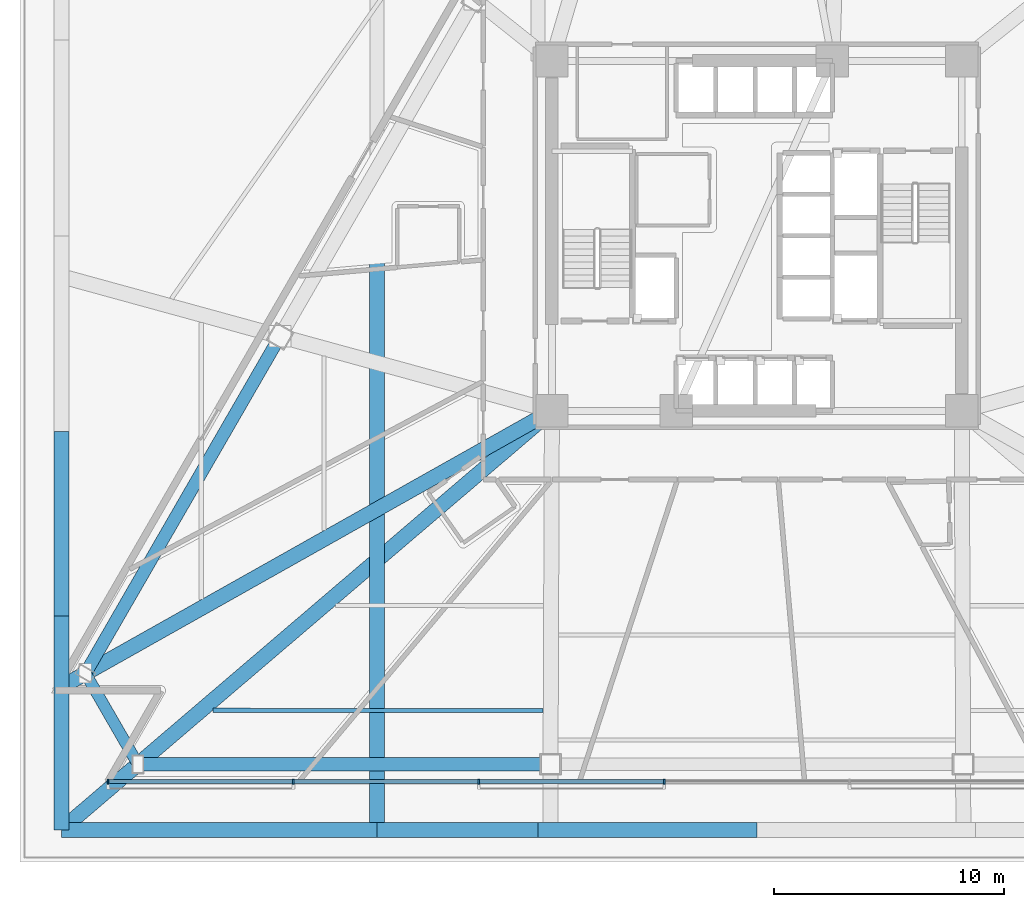
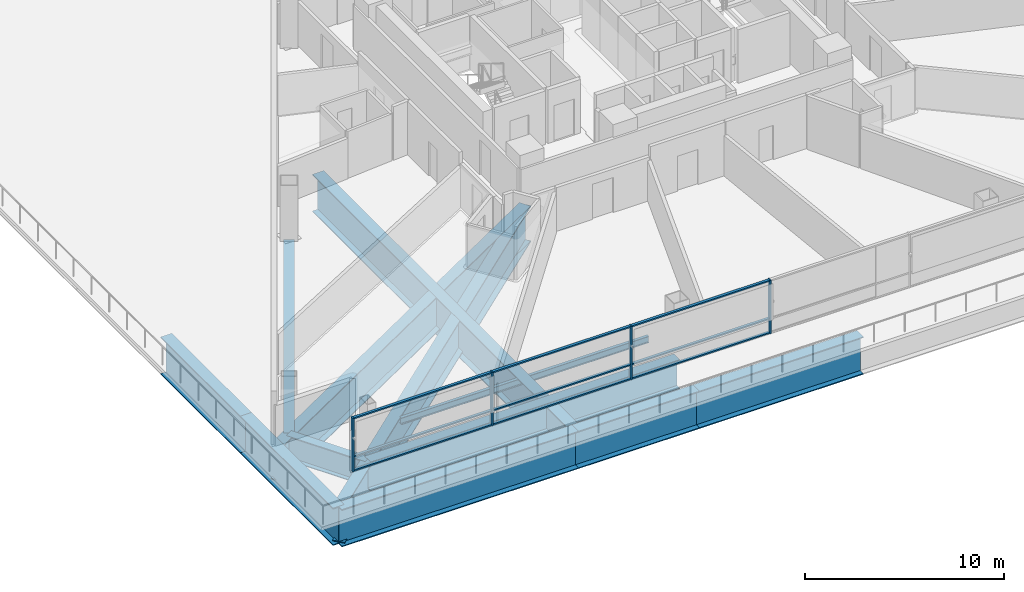
# One storey, part 2 of 19: 13 members, 12 beams, 1 element without a shape of its own.
"""IFC4 building model written with IfcOpenShell, lengths in metres."""

from ifc_helpers import new_model, si_unit, direction, frame, origin, origin_2d, place, context, subcontext, project, spatial, rectangle, i_section, extrude, material, layer, layer_set, material_profile, profile_set, type_object, element, aggregate, save


model = new_model("IFC4")

# Units and contexts
model_context = context("Model", 3, precision=1e-05, world=origin(), true_north=direction((0.0, 1.0)))
body_context = subcontext(model_context, "Body", "Model", "MODEL_VIEW")
ifc_project = project(units=[si_unit("LENGTHUNIT", "METRE"), si_unit("AREAUNIT", "SQUARE_METRE"), si_unit("VOLUMEUNIT", "CUBIC_METRE"), si_unit("PLANEANGLEUNIT", "RADIAN"), si_unit("MASSUNIT", "GRAM", prefix="KILO")], contexts=[model_context])

# Site, building, storey
site_placement = place(None, origin())
site = spatial("IfcSite", under=ifc_project, at=site_placement, CompositionType="ELEMENT")
building_placement = place(site_placement, origin())
building = spatial("IfcBuilding", under=site, at=building_placement, Name="Tharavind Bronze Gate", CompositionType="ELEMENT")
storey_placement = place(building_placement, frame((0.0, 0.0, 31.800048828125)))
storey = spatial("IfcBuildingStorey", under=building, at=storey_placement, Name="L06", CompositionType="ELEMENT", Elevation=31.800048828125)

# Curtain wall, members
ifc_material_1 = material(Name="Anodised Bronze Aluminium", Category="aluminium")
ifc_layer = layer(ifc_material_1, 0.219970703125)
ifc_layer_set = layer_set([ifc_layer], Name="Anodised Bronze Aluminium")
curtain_wall_type = type_object("IfcCurtainWallType", Name="UNITISED CURTAIN WALL HOTEL", PredefinedType="USERDEFINED", material=ifc_layer_set)
curtain_wall_placement = place(storey_placement, origin())
curtain_wall = element("IfcCurtainWall", 1, at=curtain_wall_placement, inside=storey, type_object=curtain_wall_type, Name="L06 unitised curtain wall hotel CW-L06-S2", ObjectType="UNITISED CURTAIN WALL", PredefinedType="USERDEFINED")
member_type_1 = type_object("IfcMemberType", Name="CURTAIN WALL MULLION 80X220", PredefinedType="MULLION", material=ifc_material_1)
member_1_placement = place(storey_placement, frame((-28.17578125, -23.699951171875, 0.0), z_axis=(0.0, 0.0, 1.0), x_axis=(1.0, 0.0, 0.0)))
member_1 = element("IfcMember", 2, at=member_1_placement, type_object=member_type_1, Name="CW-L06-S2 mullion 1", PredefinedType="MULLION", context=body_context, shape_type="SweptSolid", body=[
    extrude(rectangle(XDim=0.080078125, YDim=0.219970703125, at=origin_2d()), origin(), (0.0, 0.0, 1.0), 3.27490234375),
])
member_2_placement = place(storey_placement, frame((-20.12548828125, -23.699951171875, 0.0), z_axis=(0.0, 0.0, 1.0), x_axis=(1.0, 0.0, 0.0)))
member_2 = element("IfcMember", 3, at=member_2_placement, type_object=member_type_1, Name="CW-L06-S2 mullion 2", PredefinedType="MULLION", context=body_context, shape_type="SweptSolid", body=[
    extrude(rectangle(XDim=0.080078125, YDim=0.219970703125, at=origin_2d()), origin(), (0.0, 0.0, 1.0), 3.27490234375),
])
member_3_placement = place(storey_placement, frame((-12.0751953125, -23.699951171875, 0.0), z_axis=(0.0, 0.0, 1.0), x_axis=(1.0, 0.0, 0.0)))
member_3 = element("IfcMember", 4, at=member_3_placement, type_object=member_type_1, Name="CW-L06-S2 mullion 3", PredefinedType="MULLION", context=body_context, shape_type="SweptSolid", body=[
    extrude(rectangle(XDim=0.080078125, YDim=0.219970703125, at=origin_2d()), origin(), (0.0, 0.0, 1.0), 3.27490234375),
])
member_4_placement = place(storey_placement, frame((-4.025146484375, -23.699951171875, 0.0), z_axis=(0.0, 0.0, 1.0), x_axis=(1.0, 0.0, 0.0)))
member_4 = element("IfcMember", 5, at=member_4_placement, type_object=member_type_1, Name="CW-L06-S2 mullion 4", PredefinedType="MULLION", context=body_context, shape_type="SweptSolid", body=[
    extrude(rectangle(XDim=0.080078125, YDim=0.219970703125, at=origin_2d()), origin(), (0.0, 0.0, 1.0), 3.27490234375),
])
member_type_2 = type_object("IfcMemberType", Name="CURTAIN WALL TRANSOM 80X160", PredefinedType="USERDEFINED", material=ifc_material_1)
member_5_placement = place(storey_placement, frame((-24.150634765625, -23.699951171875, 0.0), z_axis=(0.0, 0.0, 1.0), x_axis=(1.0, 0.0, 0.0)))
member_5 = element("IfcMember", 6, at=member_5_placement, type_object=member_type_2, Name="CW-L06-S2 transom TB1", ObjectType="TRANSOM", PredefinedType="USERDEFINED", context=body_context, shape_type="SweptSolid", body=[
    extrude(rectangle(XDim=7.982177734375, YDim=0.159912109375, at=origin_2d()), origin(), (0.0, 0.0, 1.0), 0.080078125),
])
member_6_placement = place(storey_placement, frame((-24.150634765625, -23.699951171875, 0.85986328125), z_axis=(0.0, 0.0, 1.0), x_axis=(1.0, 0.0, 0.0)))
member_6 = element("IfcMember", 7, at=member_6_placement, type_object=member_type_2, Name="CW-L06-S2 transom TS1", ObjectType="TRANSOM", PredefinedType="USERDEFINED", context=body_context, shape_type="SweptSolid", body=[
    extrude(rectangle(XDim=7.982177734375, YDim=0.159912109375, at=origin_2d()), origin(), (0.0, 0.0, 1.0), 0.080078125),
])
member_7_placement = place(storey_placement, frame((-24.150634765625, -23.699951171875, 3.19482421875), z_axis=(0.0, 0.0, 1.0), x_axis=(1.0, 0.0, 0.0)))
member_7 = element("IfcMember", 8, at=member_7_placement, type_object=member_type_2, Name="CW-L06-S2 transom TT1", ObjectType="TRANSOM", PredefinedType="USERDEFINED", context=body_context, shape_type="SweptSolid", body=[
    extrude(rectangle(XDim=7.982177734375, YDim=0.159912109375, at=origin_2d()), origin(), (0.0, 0.0, 1.0), 0.080078125),
])
member_8_placement = place(storey_placement, frame((-16.1005859375, -23.699951171875, 0.0), z_axis=(0.0, 0.0, 1.0), x_axis=(1.0, 0.0, 0.0)))
member_8 = element("IfcMember", 9, at=member_8_placement, type_object=member_type_2, Name="CW-L06-S2 transom TB2", ObjectType="TRANSOM", PredefinedType="USERDEFINED", context=body_context, shape_type="SweptSolid", body=[
    extrude(rectangle(XDim=7.982177734375, YDim=0.159912109375, at=origin_2d()), origin(), (0.0, 0.0, 1.0), 0.080078125),
])
member_9_placement = place(storey_placement, frame((-16.1005859375, -23.699951171875, 0.85986328125), z_axis=(0.0, 0.0, 1.0), x_axis=(1.0, 0.0, 0.0)))
member_9 = element("IfcMember", 10, at=member_9_placement, type_object=member_type_2, Name="CW-L06-S2 transom TS2", ObjectType="TRANSOM", PredefinedType="USERDEFINED", context=body_context, shape_type="SweptSolid", body=[
    extrude(rectangle(XDim=7.982177734375, YDim=0.159912109375, at=origin_2d()), origin(), (0.0, 0.0, 1.0), 0.080078125),
])
member_10_placement = place(storey_placement, frame((-16.1005859375, -23.699951171875, 3.19482421875), z_axis=(0.0, 0.0, 1.0), x_axis=(1.0, 0.0, 0.0)))
member_10 = element("IfcMember", 11, at=member_10_placement, type_object=member_type_2, Name="CW-L06-S2 transom TT2", ObjectType="TRANSOM", PredefinedType="USERDEFINED", context=body_context, shape_type="SweptSolid", body=[
    extrude(rectangle(XDim=7.982177734375, YDim=0.159912109375, at=origin_2d()), origin(), (0.0, 0.0, 1.0), 0.080078125),
])
member_11_placement = place(storey_placement, frame((-8.05029296875, -23.699951171875, 0.0), z_axis=(0.0, 0.0, 1.0), x_axis=(1.0, 0.0, 0.0)))
member_11 = element("IfcMember", 12, at=member_11_placement, type_object=member_type_2, Name="CW-L06-S2 transom TB3", ObjectType="TRANSOM", PredefinedType="USERDEFINED", context=body_context, shape_type="SweptSolid", body=[
    extrude(rectangle(XDim=7.982177734375, YDim=0.159912109375, at=origin_2d()), origin(), (0.0, 0.0, 1.0), 0.080078125),
])
member_12_placement = place(storey_placement, frame((-8.05029296875, -23.699951171875, 0.85986328125), z_axis=(0.0, 0.0, 1.0), x_axis=(1.0, 0.0, 0.0)))
member_12 = element("IfcMember", 13, at=member_12_placement, type_object=member_type_2, Name="CW-L06-S2 transom TS3", ObjectType="TRANSOM", PredefinedType="USERDEFINED", context=body_context, shape_type="SweptSolid", body=[
    extrude(rectangle(XDim=7.982177734375, YDim=0.159912109375, at=origin_2d()), origin(), (0.0, 0.0, 1.0), 0.080078125),
])
member_13_placement = place(storey_placement, frame((-8.05029296875, -23.699951171875, 3.19482421875), z_axis=(0.0, 0.0, 1.0), x_axis=(1.0, 0.0, 0.0)))
member_13 = element("IfcMember", 14, at=member_13_placement, type_object=member_type_2, Name="CW-L06-S2 transom TT3", ObjectType="TRANSOM", PredefinedType="USERDEFINED", context=body_context, shape_type="SweptSolid", body=[
    extrude(rectangle(XDim=7.982177734375, YDim=0.159912109375, at=origin_2d()), origin(), (0.0, 0.0, 1.0), 0.080078125),
])
aggregate(curtain_wall, [member_1, member_2, member_3, member_4, member_5, member_6, member_7, member_8, member_9, member_10, member_11, member_12, member_13])

# Beams
ifc_material_2 = material(Name="Steel S355", Category="steel")
ifc_material_profile_1 = material_profile(ifc_material_2, i_section(OverallWidth=0.179931640625, OverallDepth=0.39990234375, WebThickness=0.008544921875, FlangeThickness=0.013427734375, at=origin_2d()), Name="IPE400")
ifc_profile_set_1 = profile_set([ifc_material_profile_1], Name="Steel S355")
beam_type_1 = type_object("IfcBeamType", Name="SECONDARY FLOOR JOIST IPE400", PredefinedType="JOIST", material=ifc_profile_set_1)
beam_1_placement = place(storey_placement, frame((-23.625244140625, -20.6044921875, -0.39501953125), z_axis=(0.999999832614, -0.000578595278, 0.0), x_axis=(0.000578595278, 0.999999832614, 0.0)))
element("IfcBeam", 15, at=beam_1_placement, inside=storey, type_object=beam_type_1, Name="L06 secondary floor joist ipe400 BM-L06-JSTB05", PredefinedType="JOIST", context=body_context, shape_type="SweptSolid", body=[
    extrude(i_section(OverallWidth=0.179931640625, OverallDepth=0.39990234375, WebThickness=0.008544921875, FlangeThickness=0.013427734375, at=origin_2d()), origin(), (0.0, 0.0, 1.0), 14.346435546875),
])
ifc_material_3 = material(Name="Steel S460", Category="steel")
ifc_material_profile_2 = material_profile(ifc_material_3, i_section(OverallWidth=0.5, OverallDepth=1.5, WebThickness=0.028076171875, FlangeThickness=0.050048828125, at=origin_2d()), Name="PG1500X500")
ifc_profile_set_2 = profile_set([ifc_material_profile_2], Name="Steel S460")
beam_type_2 = type_object("IfcBeamType", Name="TRANSFER GIRDER 1500X500", PredefinedType="USERDEFINED", material=ifc_profile_set_2)
beam_2_placement = place(storey_placement, frame((-29.15673828125, -19.0009765625, -0.945068359375), z_axis=(0.500014431597, -0.866017071537, 0.0), x_axis=(0.866017071537, 0.500014431597, 0.0)))
element("IfcBeam", 16, at=beam_2_placement, inside=storey, type_object=beam_type_2, Name="L06 transfer girder 1500x500 BM-L06-URG04", ObjectType="TRANSFER GIRDER", PredefinedType="USERDEFINED", context=body_context, shape_type="SweptSolid", body=[
    extrude(i_section(OverallWidth=0.5, OverallDepth=1.5, WebThickness=0.028076171875, FlangeThickness=0.050048828125, at=origin_2d()), origin(), (0.0, 0.0, 1.0), 4.559814453125),
])
ifc_material_profile_3 = material_profile(ifc_material_3, i_section(OverallWidth=0.550048828125, OverallDepth=1.60009765625, WebThickness=0.030029296875, FlangeThickness=0.050048828125, at=origin_2d()), Name="PG1600X550")
ifc_profile_set_3 = profile_set([ifc_material_profile_3], Name="Steel S460")
beam_type_3 = type_object("IfcBeamType", Name="TRANSFER GIRDER 1600X550", PredefinedType="USERDEFINED", material=ifc_profile_set_3)
beam_3_placement = place(storey_placement, frame((-20.70458984375, -4.361083984375, -0.9951171875), z_axis=(-0.4999912383, -0.866030462295, 0.0), x_axis=(0.866030462295, -0.4999912383, 0.0)))
element("IfcBeam", 17, at=beam_3_placement, inside=storey, type_object=beam_type_3, Name="L06 transfer girder 1600x550 BM-L06-URG03", ObjectType="TRANSFER GIRDER", PredefinedType="USERDEFINED", context=body_context, shape_type="SweptSolid", body=[
    extrude(i_section(OverallWidth=0.550048828125, OverallDepth=1.60009765625, WebThickness=0.030029296875, FlangeThickness=0.050048828125, at=origin_2d()), origin(), (0.0, 0.0, 1.0), 16.904541015625),
])
ifc_material_profile_4 = material_profile(ifc_material_3, i_section(OverallWidth=0.60009765625, OverallDepth=1.800048828125, WebThickness=0.031982421875, FlangeThickness=0.054931640625, at=origin_2d()), Name="PG1800X600")
ifc_profile_set_4 = profile_set([ifc_material_profile_4], Name="Steel S460")
beam_type_4 = type_object("IfcBeamType", Name="TRANSFER GIRDER 1800X600", PredefinedType="USERDEFINED", material=ifc_profile_set_4)
beam_4_placement = place(storey_placement, frame((-26.876708984375, -22.949951171875, -1.094970703125), z_axis=(1.0, 0.0, 0.0), x_axis=(0.0, 1.0, 0.0)))
element("IfcBeam", 18, at=beam_4_placement, inside=storey, type_object=beam_type_4, Name="L06 transfer girder 1800x600 BM-L06-URG05", ObjectType="TRANSFER GIRDER", PredefinedType="USERDEFINED", context=body_context, shape_type="SweptSolid", body=[
    extrude(i_section(OverallWidth=0.60009765625, OverallDepth=1.800048828125, WebThickness=0.031982421875, FlangeThickness=0.054931640625, at=origin_2d()), origin(), (0.0, 0.0, 1.0), 17.917724609375),
])
ifc_material_profile_5 = material_profile(ifc_material_3, i_section(OverallWidth=0.64990234375, OverallDepth=2.199951171875, WebThickness=0.035888671875, FlangeThickness=0.054931640625, at=origin_2d()), Name="PG2200X650")
ifc_profile_set_5 = profile_set([ifc_material_profile_5], Name="Steel S460")
beam_type_5 = type_object("IfcBeamType", Name="TRANSFER GIRDER 2200X650", PredefinedType="USERDEFINED", material=ifc_profile_set_5)
beam_5_placement = place(storey_placement, frame((-8.89990234375, -7.60009765625, -1.295166015625), z_axis=(-0.871461607182, -0.490463726699, 0.0), x_axis=(0.490463726699, -0.871461607182, 0.0)))
element("IfcBeam", 19, at=beam_5_placement, inside=storey, type_object=beam_type_5, Name="L06 transfer girder 2200x650 BM-L06-XFR04", ObjectType="TRANSFER GIRDER", PredefinedType="USERDEFINED", context=body_context, shape_type="SweptSolid", body=[
    extrude(i_section(OverallWidth=0.64990234375, OverallDepth=2.199951171875, WebThickness=0.035888671875, FlangeThickness=0.054931640625, at=origin_2d()), origin(), (0.0, 0.0, 1.0), 24.441650390625),
])
beam_6_placement = place(storey_placement, frame((-8.89990234375, -7.60009765625, -1.295166015625), z_axis=(-0.760484603767, -0.649355963577, 0.0), x_axis=(0.649355963577, -0.760484603767, 0.0)))
element("IfcBeam", 20, at=beam_6_placement, inside=storey, type_object=beam_type_5, Name="L06 transfer girder 2200x650 BM-L06-XFR05", ObjectType="TRANSFER GIRDER", PredefinedType="USERDEFINED", context=body_context, shape_type="SweptSolid", body=[
    extrude(i_section(OverallWidth=0.64990234375, OverallDepth=2.199951171875, WebThickness=0.035888671875, FlangeThickness=0.054931640625, at=origin_2d()), origin(), (0.0, 0.0, 1.0), 28.008544921875),
])
ifc_material_profile_6 = material_profile(ifc_material_3, i_section(OverallWidth=0.64990234375, OverallDepth=2.300048828125, WebThickness=0.035888671875, FlangeThickness=0.05810546875, at=origin_2d()), Name="PG2300X650")
ifc_profile_set_6 = profile_set([ifc_material_profile_6], Name="Steel S460")
beam_type_6 = type_object("IfcBeamType", Name="TRANSFER GIRDER 2300X650", PredefinedType="USERDEFINED", material=ifc_profile_set_6)
beam_7_placement = place(storey_placement, frame((-30.199951171875, -25.800048828125, -1.344970703125), z_axis=(1.0, 0.0, 0.0), x_axis=(0.0, 1.0, 0.0)))
element("IfcBeam", 21, at=beam_7_placement, inside=storey, type_object=beam_type_6, Name="L06 transfer girder 2300x650 BM-L06-PS1", ObjectType="TRANSFER GIRDER", PredefinedType="USERDEFINED", context=body_context, shape_type="SweptSolid", body=[
    extrude(i_section(OverallWidth=0.64990234375, OverallDepth=2.300048828125, WebThickness=0.035888671875, FlangeThickness=0.05810546875, at=origin_2d()), origin(), (0.0, 0.0, 1.0), 13.699951171875),
])
beam_8_placement = place(storey_placement, frame((-16.5, -25.800048828125, -1.344970703125), z_axis=(1.0, 0.0, 0.0), x_axis=(0.0, 1.0, 0.0)))
element("IfcBeam", 22, at=beam_8_placement, inside=storey, type_object=beam_type_6, Name="L06 transfer girder 2300x650 BM-L06-PS2", ObjectType="TRANSFER GIRDER", PredefinedType="USERDEFINED", context=body_context, shape_type="SweptSolid", body=[
    extrude(i_section(OverallWidth=0.64990234375, OverallDepth=2.300048828125, WebThickness=0.035888671875, FlangeThickness=0.05810546875, at=origin_2d()), origin(), (0.0, 0.0, 1.0), 7.0),
])
beam_9_placement = place(storey_placement, frame((-9.5, -25.800048828125, -1.344970703125), z_axis=(1.0, 0.0, 0.0), x_axis=(0.0, 1.0, 0.0)))
element("IfcBeam", 23, at=beam_9_placement, inside=storey, type_object=beam_type_6, Name="L06 transfer girder 2300x650 BM-L06-PS3", ObjectType="TRANSFER GIRDER", PredefinedType="USERDEFINED", context=body_context, shape_type="SweptSolid", body=[
    extrude(i_section(OverallWidth=0.64990234375, OverallDepth=2.300048828125, WebThickness=0.035888671875, FlangeThickness=0.05810546875, at=origin_2d()), origin(), (0.0, 0.0, 1.0), 9.5),
])
beam_10_placement = place(storey_placement, frame((-30.199951171875, -25.800048828125, -1.344970703125), z_axis=(0.0, 1.0, 0.0), x_axis=(-1.0, 0.0, 0.0)))
element("IfcBeam", 24, at=beam_10_placement, inside=storey, type_object=beam_type_6, Name="L06 transfer girder 2300x650 BM-L06-PW1", ObjectType="TRANSFER GIRDER", PredefinedType="USERDEFINED", context=body_context, shape_type="SweptSolid", body=[
    extrude(i_section(OverallWidth=0.64990234375, OverallDepth=2.300048828125, WebThickness=0.035888671875, FlangeThickness=0.05810546875, at=origin_2d()), origin(), (0.0, 0.0, 1.0), 9.300048828125),
])
beam_11_placement = place(storey_placement, frame((-30.199951171875, -16.5, -1.344970703125), z_axis=(0.0, 1.0, 0.0), x_axis=(-1.0, 0.0, 0.0)))
element("IfcBeam", 25, at=beam_11_placement, inside=storey, type_object=beam_type_6, Name="L06 transfer girder 2300x650 BM-L06-PW2", ObjectType="TRANSFER GIRDER", PredefinedType="USERDEFINED", context=body_context, shape_type="SweptSolid", body=[
    extrude(i_section(OverallWidth=0.64990234375, OverallDepth=2.300048828125, WebThickness=0.035888671875, FlangeThickness=0.05810546875, at=origin_2d()), origin(), (0.0, 0.0, 1.0), 8.0),
])
beam_12_placement = place(storey_placement, frame((-16.5, -25.800048828125, -1.344970703125), z_axis=(0.0, 1.0, 0.0), x_axis=(-1.0, 0.0, 0.0)))
element("IfcBeam", 26, at=beam_12_placement, inside=storey, type_object=beam_type_6, Name="L06 transfer girder 2300x650 BM-L06-PM3S", ObjectType="TRANSFER GIRDER", PredefinedType="USERDEFINED", context=body_context, shape_type="SweptSolid", body=[
    extrude(i_section(OverallWidth=0.64990234375, OverallDepth=2.300048828125, WebThickness=0.035888671875, FlangeThickness=0.05810546875, at=origin_2d()), origin(), (0.0, 0.0, 1.0), 25.800048828125),
])

save(model, "model.ifc")
